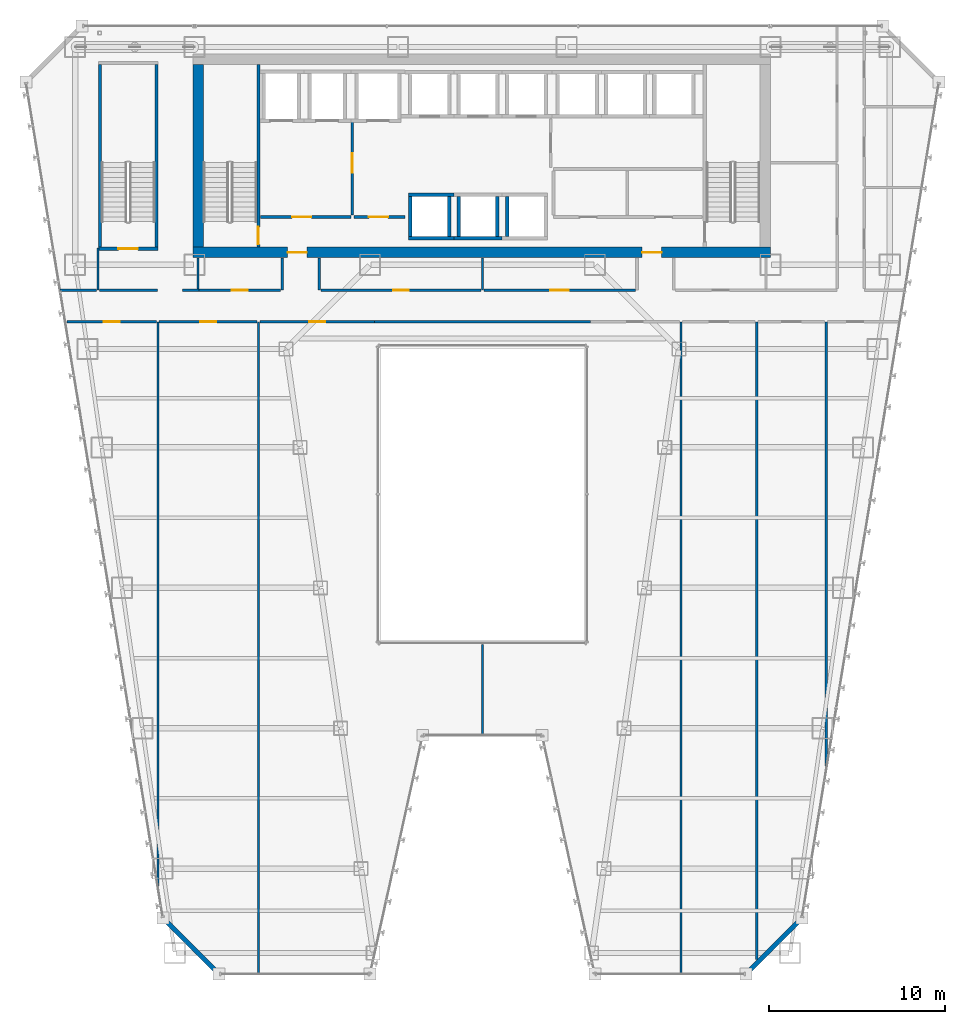
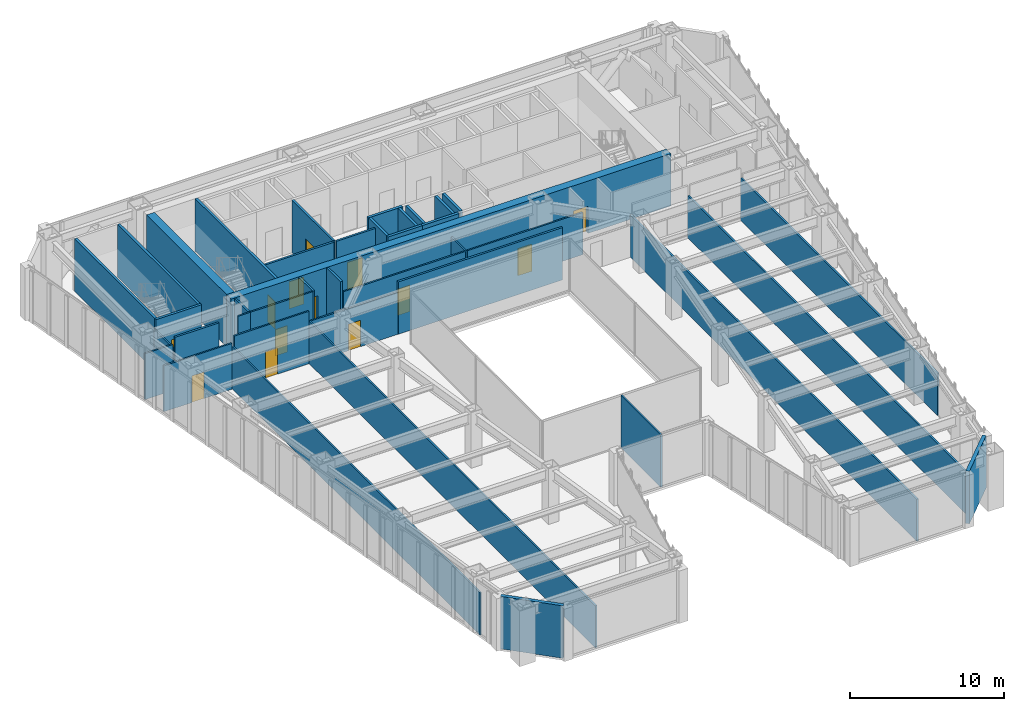
# One storey, part 36 of 47: 40 walls, 13 doors, 13 openings.
"""IFC4 building model written with IfcOpenShell, lengths in metres."""

from ifc_helpers import new_model, si_unit, direction, frame, frame_2d, origin, place, context, subcontext, project, spatial, rectangle, extrude, material, layer, layer_set, type_object, element, fill, save


model = new_model("IFC4")

# Units and contexts
model_context = context("Model", 3, precision=1e-05, world=origin(), true_north=direction((0.0, 1.0)))
body_context = subcontext(model_context, "Body", "Model", "MODEL_VIEW")
ifc_project = project(units=[si_unit("LENGTHUNIT", "METRE"), si_unit("AREAUNIT", "SQUARE_METRE"), si_unit("VOLUMEUNIT", "CUBIC_METRE"), si_unit("PLANEANGLEUNIT", "RADIAN"), si_unit("MASSUNIT", "GRAM", prefix="KILO")], contexts=[model_context])

# Site, building, storey
site_placement = place(None, origin())
site = spatial("IfcSite", under=ifc_project, at=site_placement, CompositionType="ELEMENT")
building_placement = place(site_placement, origin())
building = spatial("IfcBuilding", under=site, at=building_placement, Name="Saevonmaru Cultural Tower", CompositionType="ELEMENT")
storey_placement = place(building_placement, frame((0.0, 0.0, 92.800048828125)))
storey = spatial("IfcBuildingStorey", under=building, at=storey_placement, Name="L19", CompositionType="ELEMENT", Elevation=92.800048828125)

# Wall, openings, doors
ifc_material_1 = material(Name="Concrete C60/75", Category="concrete")
ifc_layer_1 = layer(ifc_material_1, 0.60009765625, Name="Concrete C60/75")
ifc_layer_set_1 = layer_set([ifc_layer_1], Name="Concrete C60/75")
wall_type_1 = type_object("IfcWallType", Name="WL-CORE-600", PredefinedType="SHEAR", material=ifc_layer_set_1)
wall_1_placement = place(storey_placement, frame((13.5, 43.10009765625, 0.0), z_axis=(0.0, 0.0, 1.0), x_axis=(1.0, 0.0, 0.0)))
wall_1 = element("IfcWall", 1, at=wall_1_placement, inside=storey, type_object=wall_type_1, Name="L19 Tower RC core shear wall S", PredefinedType="SHEAR", context=body_context, shape_type="SweptSolid", body=[
    extrude(rectangle(XDim=32.89990234375, YDim=0.60009765625, at=frame_2d((16.449951171875, 0.0))), origin(), (0.0, 0.0, 1.0), 4.14990234375),
])
opening_1_placement = place(wall_1_placement, frame((5.39990234375, 0.0, 0.0)))
opening_1 = element("IfcOpeningElement", 2, at=opening_1_placement, cuts=wall_1, Name="Opening FD-2", PredefinedType="OPENING", context=body_context, shape_type="SweptSolid", body=[
    extrude(rectangle(XDim=1.10009765625, YDim=2.14990234375, at=frame_2d((0.550048828125, 1.074951171875))), frame((0.0, 0.31005859375, 0.0), z_axis=(0.0, -1.0, 0.0), x_axis=(1.0, 0.0, 0.0)), (0.0, 0.0, 1.0), 0.6201171875),
])
opening_2_placement = place(wall_1_placement, frame((25.60009765625, 0.0, 0.0)))
opening_2 = element("IfcOpeningElement", 3, at=opening_2_placement, cuts=wall_1, Name="Opening FD-2", PredefinedType="OPENING", context=body_context, shape_type="SweptSolid", body=[
    extrude(rectangle(XDim=1.10009765625, YDim=2.14990234375, at=frame_2d((0.550048828125, 1.074951171875))), frame((0.0, 0.31005859375, 0.0), z_axis=(0.0, -1.0, 0.0), x_axis=(1.0, 0.0, 0.0)), (0.0, 0.0, 1.0), 0.6201171875),
])
ifc_material_2 = material(Name="Satin Bronze Anodised Aluminium", Category="aluminium")
door_type_1 = type_object("IfcDoorType", Name="DR-FD60-1100", OperationType="SINGLE_SWING_LEFT", PredefinedType="DOOR", material=ifc_material_2)
door_1_placement = place(opening_1_placement, origin())
door_1 = element("IfcDoor", 4, at=door_1_placement, inside=storey, type_object=door_type_1, Name="L19 Core West Lobby Fire Door", OperationType="SINGLE_SWING_LEFT", OverallHeight=2.14990234375, OverallWidth=1.10009765625, PredefinedType="DOOR", context=body_context, shape_type="SweptSolid", body=[
    extrude(rectangle(XDim=1.10009765625, YDim=2.14990234375, at=frame_2d((0.550048828125, 1.074951171875))), frame((0.0, 0.02490234375, 0.0), z_axis=(0.0, -1.0, 0.0), x_axis=(1.0, 0.0, 0.0)), (0.0, 0.0, 1.0), 0.050048828125),
])
fill(opening_1, door_1)
door_2_placement = place(opening_2_placement, origin())
door_2 = element("IfcDoor", 5, at=door_2_placement, inside=storey, type_object=door_type_1, Name="L19 Core East Lobby Fire Door", OperationType="SINGLE_SWING_LEFT", OverallHeight=2.14990234375, OverallWidth=1.10009765625, PredefinedType="DOOR", context=body_context, shape_type="SweptSolid", body=[
    extrude(rectangle(XDim=1.10009765625, YDim=2.14990234375, at=frame_2d((0.550048828125, 1.074951171875))), frame((0.0, 0.02490234375, 0.0), z_axis=(0.0, -1.0, 0.0), x_axis=(1.0, 0.0, 0.0)), (0.0, 0.0, 1.0), 0.050048828125),
])
fill(opening_2, door_2)

# Wall
wall_2_placement = place(storey_placement, frame((13.800048828125, 43.39990234375, 0.0), z_axis=(0.0, 0.0, 1.0), x_axis=(0.0, 1.0, 0.0)))
element("IfcWall", 6, at=wall_2_placement, inside=storey, type_object=wall_type_1, Name="L19 Tower RC core shear wall W", PredefinedType="SHEAR", context=body_context, shape_type="SweptSolid", body=[
    extrude(rectangle(XDim=10.400146484375, YDim=0.60009765625, at=frame_2d((5.2001953125, 0.0))), origin(), (0.0, 0.0, 1.0), 4.14990234375),
])

# Wall, opening, door
ifc_material_3 = material(Name="Gypsum Fireboard Partition", Category="gypsum")
ifc_layer_2 = layer(ifc_material_3, 0.14990234375, Name="Gypsum Fireboard Partition")
ifc_layer_set_2 = layer_set([ifc_layer_2], Name="Gypsum Fireboard Partition")
wall_type_2 = type_object("IfcWallType", Name="WL-CORE-PART-150", PredefinedType="PARTITIONING", material=ifc_layer_set_2)
wall_3_placement = place(storey_placement, frame((17.360107421875, 45.1201171875, 0.0), z_axis=(0.0, 0.0, 1.0), x_axis=(1.0, 0.0, 0.0)))
wall_3 = element("IfcWall", 7, at=wall_3_placement, inside=storey, type_object=wall_type_2, Name="L19 Firefighting Lift Lobby South Wall", PredefinedType="PARTITIONING", context=body_context, shape_type="SweptSolid", body=[
    extrude(rectangle(XDim=5.139892578125, YDim=0.14990234375, at=frame_2d((2.56982421875, 0.0))), origin(), (0.0, 0.0, 1.0), 4.14990234375),
])
opening_3_placement = place(wall_3_placement, frame((1.800048828125, 0.0, 0.0)))
opening_3 = element("IfcOpeningElement", 8, at=opening_3_placement, cuts=wall_3, Name="Opening FD-2", PredefinedType="OPENING", context=body_context, shape_type="SweptSolid", body=[
    extrude(rectangle(XDim=1.10009765625, YDim=2.14990234375, at=frame_2d((0.550048828125, 1.074951171875))), frame((0.0, 0.0849609375, 0.0), z_axis=(0.0, -1.0, 0.0), x_axis=(1.0, 0.0, 0.0)), (0.0, 0.0, 1.0), 0.169921875),
])
door_3_placement = place(opening_3_placement, origin())
door_3 = element("IfcDoor", 9, at=door_3_placement, inside=storey, type_object=door_type_1, Name="L19 Firefighting Lift Lobby South Door", OperationType="SINGLE_SWING_LEFT", OverallHeight=2.14990234375, OverallWidth=1.10009765625, PredefinedType="DOOR", context=body_context, shape_type="SweptSolid", body=[
    extrude(rectangle(XDim=1.10009765625, YDim=2.14990234375, at=frame_2d((0.550048828125, 1.074951171875))), frame((0.0, 0.02490234375, 0.0), z_axis=(0.0, -1.0, 0.0), x_axis=(1.0, 0.0, 0.0)), (0.0, 0.0, 1.0), 0.050048828125),
])
fill(opening_3, door_3)

wall_4_placement = place(storey_placement, frame((22.580078125, 50.550048828125, 0.0), z_axis=(0.0, 0.0, 1.0), x_axis=(0.0, -1.0, 0.0)))
wall_4 = element("IfcWall", 10, at=wall_4_placement, inside=storey, type_object=wall_type_2, Name="L19 Firefighting Lift Lobby East Wall", PredefinedType="PARTITIONING", context=body_context, shape_type="SweptSolid", body=[
    extrude(rectangle(XDim=5.330078125, YDim=0.14990234375, at=frame_2d((2.6650390625, 0.0))), origin(), (0.0, 0.0, 1.0), 4.14990234375),
])
opening_4_placement = place(wall_4_placement, frame((1.800048828125, 0.0, 0.0)))
opening_4 = element("IfcOpeningElement", 11, at=opening_4_placement, cuts=wall_4, Name="Opening FD-2", PredefinedType="OPENING", context=body_context, shape_type="SweptSolid", body=[
    extrude(rectangle(XDim=1.10009765625, YDim=2.14990234375, at=frame_2d((0.550048828125, 1.074951171875))), frame((0.0, 0.0849609375, 0.0), z_axis=(0.0, -1.0, 0.0), x_axis=(1.0, 0.0, 0.0)), (0.0, 0.0, 1.0), 0.169921875),
])
door_4_placement = place(opening_4_placement, origin())
door_4 = element("IfcDoor", 12, at=door_4_placement, inside=storey, type_object=door_type_1, Name="L19 Firefighting Lift Lobby East Door", OperationType="SINGLE_SWING_LEFT", OverallHeight=2.14990234375, OverallWidth=1.10009765625, PredefinedType="DOOR", context=body_context, shape_type="SweptSolid", body=[
    extrude(rectangle(XDim=1.10009765625, YDim=2.14990234375, at=frame_2d((0.550048828125, 1.074951171875))), frame((0.0, 0.02490234375, 0.0), z_axis=(0.0, -1.0, 0.0), x_axis=(1.0, 0.0, 0.0)), (0.0, 0.0, 1.0), 0.050048828125),
])
fill(opening_4, door_4)

wall_5_placement = place(storey_placement, frame((22.679931640625, 45.1201171875, 0.0), z_axis=(0.0, 0.0, 1.0), x_axis=(1.0, 0.0, 0.0)))
wall_5 = element("IfcWall", 13, at=wall_5_placement, inside=storey, type_object=wall_type_2, Name="L19 Service Lift Vestibule Wall", PredefinedType="PARTITIONING", context=body_context, shape_type="SweptSolid", body=[
    extrude(rectangle(XDim=2.920166015625, YDim=0.14990234375, at=frame_2d((1.4599609375, 0.0))), origin(), (0.0, 0.0, 1.0), 4.14990234375),
])
opening_5_placement = place(wall_5_placement, frame((0.85009765625, 0.0, 0.0)))
opening_5 = element("IfcOpeningElement", 14, at=opening_5_placement, cuts=wall_5, Name="Opening FD-2", PredefinedType="OPENING", context=body_context, shape_type="SweptSolid", body=[
    extrude(rectangle(XDim=1.10009765625, YDim=2.14990234375, at=frame_2d((0.550048828125, 1.074951171875))), frame((0.0, 0.0849609375, 0.0), z_axis=(0.0, -1.0, 0.0), x_axis=(1.0, 0.0, 0.0)), (0.0, 0.0, 1.0), 0.169921875),
])
door_5_placement = place(opening_5_placement, origin())
door_5 = element("IfcDoor", 15, at=door_5_placement, inside=storey, type_object=door_type_1, Name="L19 Service Lift Vestibule Door", OperationType="SINGLE_SWING_LEFT", OverallHeight=2.14990234375, OverallWidth=1.10009765625, PredefinedType="DOOR", context=body_context, shape_type="SweptSolid", body=[
    extrude(rectangle(XDim=1.10009765625, YDim=2.14990234375, at=frame_2d((0.550048828125, 1.074951171875))), frame((0.0, 0.02490234375, 0.0), z_axis=(0.0, -1.0, 0.0), x_axis=(1.0, 0.0, 0.0)), (0.0, 0.0, 1.0), 0.050048828125),
])
fill(opening_5, door_5)

# Walls
ifc_material_4 = material(Name="Granite-Clad Precast Concrete C40/50", Category="masonry")
ifc_layer_3 = layer(ifc_material_4, 0.260009765625, Name="Granite-Clad Precast Concrete C40/50")
ifc_layer_set_3 = layer_set([ifc_layer_3], Name="Granite-Clad Precast Concrete C40/50")
wall_type_3 = type_object("IfcWallType", Name="WL-EXT-SPANDREL-260", PredefinedType="STANDARD", material=ifc_layer_set_3)
for number, where, z_axis, x_axis, name in (
    (16, (11.9130859375, 5.0869140625, 0.0), (0.0, 0.0, 1.0), (0.707106781187, -0.707106781187, 0.0), "L19 Chamfer Corner Spandrel Wall E1"),
    (17, (45.113037109375, 2.113037109375, 0.0), (0.0, 0.0, 1.0), (0.707106781187, 0.707106781187, 0.0), "L19 Chamfer Corner Spandrel Wall E7"),
):
    element("IfcWall", number, at=place(storey_placement, frame(where, z_axis=z_axis, x_axis=x_axis)), inside=storey, type_object=wall_type_3, Name=name, PredefinedType="STANDARD", context=body_context, shape_type="SweptSolid", body=[
        extrude(rectangle(XDim=4.205810546875, YDim=0.260009765625, at=frame_2d((2.10302734375, 0.0))), origin(), (0.0, 0.0, 1.0), 4.14990234375),
    ])
ifc_layer_4 = layer(ifc_material_3, 0.14990234375, Name="Gypsum Fireboard Partition")
ifc_layer_set_4 = layer_set([ifc_layer_4], Name="Gypsum Fireboard Partition")
wall_type_4 = type_object("IfcWallType", Name="WL-PART-FIRE-150", PredefinedType="PARTITIONING", material=ifc_layer_set_4)
wall_6_placement = place(storey_placement, frame((8.179931640625, 40.949951171875, 0.0), z_axis=(0.0, 0.0, 1.0), x_axis=(1.0, 0.0, 0.0)))
element("IfcWall", 18, at=wall_6_placement, inside=storey, type_object=wall_type_4, Name="L19 Stair ST-3 South Vestibule Wall", PredefinedType="PARTITIONING", context=body_context, shape_type="SweptSolid", body=[
    extrude(rectangle(XDim=3.300048828125, YDim=0.14990234375, at=frame_2d((1.64990234375, 0.0))), origin(), (0.0, 0.0, 1.0), 4.14990234375),
])
for number, where, z_axis, x_axis, name in (
    (19, (18.60009765625, 40.949951171875, 0.0), (0.0, 0.0, 1.0), (0.0, 1.0, 0.0), "L19 Core Portal Side Wall W1"),
    (20, (20.699951171875, 40.949951171875, 0.0), (0.0, 0.0, 1.0), (0.0, 1.0, 0.0), "L19 Core Portal Side Wall W2"),
):
    element("IfcWall", number, at=place(storey_placement, frame(where, z_axis=z_axis, x_axis=x_axis)), inside=storey, type_object=wall_type_4, Name=name, PredefinedType="PARTITIONING", context=body_context, shape_type="SweptSolid", body=[
        extrude(rectangle(XDim=1.830078125, YDim=0.14990234375, at=frame_2d((0.9150390625, 0.0))), origin(), (0.0, 0.0, 1.0), 4.14990234375),
    ])
wall_7_placement = place(storey_placement, frame((23.85009765625, 39.14990234375, 0.0), z_axis=(0.0, 0.0, 1.0), x_axis=(1.0, 0.0, 0.0)))
element("IfcWall", 21, at=wall_7_placement, inside=storey, type_object=wall_type_4, Name="L19 North Atrium Corridor Wall", PredefinedType="PARTITIONING", context=body_context, shape_type="SweptSolid", body=[
    extrude(rectangle(XDim=12.2998046875, YDim=0.14990234375, at=frame_2d((6.14990234375, 0.0))), origin(), (0.0, 0.0, 1.0), 4.14990234375),
])
ifc_layer_5 = layer(ifc_material_3, 0.1201171875, Name="Gypsum Fireboard Partition")
ifc_layer_set_5 = layer_set([ifc_layer_5], Name="Gypsum Fireboard Partition")
wall_type_5 = type_object("IfcWallType", Name="WL-PART-GYP-120", PredefinedType="PARTITIONING", material=ifc_layer_set_5)
wall_8_placement = place(storey_placement, frame((12.919921875, 40.949951171875, 0.0), z_axis=(0.0, 0.0, 1.0), x_axis=(1.0, 0.0, 0.0)))
element("IfcWall", 22, at=wall_8_placement, inside=storey, type_object=wall_type_5, Name="L19 NW Inner South Wall", PredefinedType="PARTITIONING", context=body_context, shape_type="SweptSolid", body=[
    extrude(rectangle(XDim=0.93017578125, YDim=0.1201171875, at=frame_2d((0.465087890625, 0.0))), origin(), (0.0, 0.0, 1.0), 4.14990234375),
])
wall_9_placement = place(storey_placement, frame((13.800048828125, 41.030029296875, 0.0), z_axis=(0.0, 0.0, 1.0), x_axis=(0.0, 1.0, 0.0)))
element("IfcWall", 23, at=wall_9_placement, inside=storey, type_object=wall_type_5, Name="L19 NW Inner Core Return", PredefinedType="PARTITIONING", context=body_context, shape_type="SweptSolid", body=[
    extrude(rectangle(XDim=1.75, YDim=0.1201171875, at=frame_2d((0.875, 0.0))), origin(), (0.0, 0.0, 1.0), 4.14990234375),
])
wall_10_placement = place(storey_placement, frame((8.10009765625, 40.949951171875, 0.0), z_axis=(0.0, 0.0, 1.0), x_axis=(0.0, 1.0, 0.0)))
element("IfcWall", 24, at=wall_10_placement, inside=storey, type_object=wall_type_5, Name="L19 NW Stair Return", PredefinedType="PARTITIONING", context=body_context, shape_type="SweptSolid", body=[
    extrude(rectangle(XDim=2.400146484375, YDim=0.1201171875, at=frame_2d((1.2001953125, 0.0))), origin(), (0.0, 0.0, 1.0), 3.3349609375),
])
wall_11_placement = place(storey_placement, frame((5.947021484375, 40.949951171875, 0.0), z_axis=(0.0, 0.0, 1.0), x_axis=(1.0, 0.0, 0.0)))
element("IfcWall", 25, at=wall_11_placement, inside=storey, type_object=wall_type_5, Name="L19 Curatorial Board Meeting Room Corridor Wall", PredefinedType="PARTITIONING", context=body_context, shape_type="SweptSolid", body=[
    extrude(rectangle(XDim=2.072998046875, YDim=0.1201171875, at=frame_2d((1.03662109375, 0.0))), origin(), (0.0, 0.0, 1.0), 3.635009765625),
])

# Wall, opening, door
wall_12_placement = place(storey_placement, frame((13.85009765625, 40.949951171875, 0.0), z_axis=(0.0, 0.0, 1.0), x_axis=(1.0, 0.0, 0.0)))
wall_12 = element("IfcWall", 26, at=wall_12_placement, inside=storey, type_object=wall_type_5, Name="L19 Urban Design Meeting Room Corridor Wall", PredefinedType="PARTITIONING", context=body_context, shape_type="SweptSolid", body=[
    extrude(rectangle(XDim=4.65478515625, YDim=0.1201171875, at=frame_2d((2.327392578125, 0.0))), origin(), (0.0, 0.0, 1.0), 4.14990234375),
])
opening_6_placement = place(wall_12_placement, frame((1.876953125, 0.0, 0.0)))
opening_6 = element("IfcOpeningElement", 27, at=opening_6_placement, cuts=wall_12, Name="Opening ID-2", PredefinedType="OPENING", context=body_context, shape_type="SweptSolid", body=[
    extrude(rectangle(XDim=0.89990234375, YDim=2.10009765625, at=frame_2d((0.449951171875, 1.050048828125))), frame((0.0, 0.070068359375, 0.0), z_axis=(0.0, -1.0, 0.0), x_axis=(1.0, 0.0, 0.0)), (0.0, 0.0, 1.0), 0.14013671875),
])
ifc_material_5 = material(Name="Acoustic Stained Oak Timber", Category="wood")
door_type_2 = type_object("IfcDoorType", Name="DR-INT-900", OperationType="SINGLE_SWING_RIGHT", PredefinedType="DOOR", material=ifc_material_5)
door_6_placement = place(opening_6_placement, origin())
door_6 = element("IfcDoor", 28, at=door_6_placement, inside=storey, type_object=door_type_2, Name="L19 Urban Design Meeting Room Door", OperationType="SINGLE_SWING_LEFT", OverallHeight=2.10009765625, OverallWidth=0.89990234375, PredefinedType="DOOR", context=body_context, shape_type="SweptSolid", body=[
    extrude(rectangle(XDim=0.89990234375, YDim=2.10009765625, at=frame_2d((0.449951171875, 1.050048828125))), frame((0.0, 0.02490234375, 0.0), z_axis=(0.0, -1.0, 0.0), x_axis=(1.0, 0.0, 0.0)), (0.0, 0.0, 1.0), 0.050048828125),
])
fill(opening_6, door_6)

# Wall
wall_13_placement = place(storey_placement, frame((30.0, 40.949951171875, 0.0), z_axis=(0.0, 0.0, 1.0), x_axis=(0.0, 1.0, 0.0)))
element("IfcWall", 29, at=wall_13_placement, inside=storey, type_object=wall_type_5, Name="L19 Spine Alcove Split", PredefinedType="PARTITIONING", context=body_context, shape_type="SweptSolid", body=[
    extrude(rectangle(XDim=1.830078125, YDim=0.1201171875, at=frame_2d((0.9150390625, 0.0))), origin(), (0.0, 0.0, 1.0), 3.3349609375),
])

# Wall, opening, door
wall_14_placement = place(storey_placement, frame((20.794921875, 40.949951171875, 0.0), z_axis=(0.0, 0.0, 1.0), x_axis=(1.0, 0.0, 0.0)))
wall_14 = element("IfcWall", 30, at=wall_14_placement, inside=storey, type_object=wall_type_5, Name="L19 Urban Design Meeting Room Corridor Wall", PredefinedType="PARTITIONING", context=body_context, shape_type="SweptSolid", body=[
    extrude(rectangle(XDim=9.125, YDim=0.1201171875, at=frame_2d((4.5625, 0.0))), origin(), (0.0, 0.0, 1.0), 3.3349609375),
])
opening_7_placement = place(wall_14_placement, frame((4.112060546875, 0.0, 0.0)))
opening_7 = element("IfcOpeningElement", 31, at=opening_7_placement, cuts=wall_14, Name="Opening ID-2", PredefinedType="OPENING", context=body_context, shape_type="SweptSolid", body=[
    extrude(rectangle(XDim=0.89990234375, YDim=2.10009765625, at=frame_2d((0.449951171875, 1.050048828125))), frame((0.0, 0.070068359375, 0.0), z_axis=(0.0, -1.0, 0.0), x_axis=(1.0, 0.0, 0.0)), (0.0, 0.0, 1.0), 0.14013671875),
])
door_7_placement = place(opening_7_placement, origin())
door_7 = element("IfcDoor", 32, at=door_7_placement, inside=storey, type_object=door_type_2, Name="L19 Urban Design Meeting Room Door", OperationType="SINGLE_SWING_RIGHT", OverallHeight=2.10009765625, OverallWidth=0.89990234375, PredefinedType="DOOR", context=body_context, shape_type="SweptSolid", body=[
    extrude(rectangle(XDim=0.89990234375, YDim=2.10009765625, at=frame_2d((0.449951171875, 1.050048828125))), frame((0.0, 0.02490234375, 0.0), z_axis=(0.0, -1.0, 0.0), x_axis=(1.0, 0.0, 0.0)), (0.0, 0.0, 1.0), 0.050048828125),
])
fill(opening_7, door_7)

wall_15_placement = place(storey_placement, frame((30.080078125, 40.949951171875, 0.0), z_axis=(0.0, 0.0, 1.0), x_axis=(1.0, 0.0, 0.0)))
wall_15 = element("IfcWall", 33, at=wall_15_placement, inside=storey, type_object=wall_type_5, Name="L19 Rare Folio Reading Room Corridor Wall", PredefinedType="PARTITIONING", context=body_context, shape_type="SweptSolid", body=[
    extrude(rectangle(XDim=8.625, YDim=0.1201171875, at=frame_2d((4.3125, 0.0))), origin(), (0.0, 0.0, 1.0), 3.3349609375),
])
opening_8_placement = place(wall_15_placement, frame((3.7880859375, 0.0, 0.0)))
opening_8 = element("IfcOpeningElement", 34, at=opening_8_placement, cuts=wall_15, Name="Opening ID-1", PredefinedType="OPENING", context=body_context, shape_type="SweptSolid", body=[
    extrude(rectangle(XDim=1.050048828125, YDim=2.14990234375, at=frame_2d((0.52490234375, 1.074951171875))), frame((0.0, 0.070068359375, 0.0), z_axis=(0.0, -1.0, 0.0), x_axis=(1.0, 0.0, 0.0)), (0.0, 0.0, 1.0), 0.14013671875),
])
door_type_3 = type_object("IfcDoorType", Name="DR-INT-1050", OperationType="SINGLE_SWING_LEFT", PredefinedType="DOOR", material=ifc_material_2)
door_8_placement = place(opening_8_placement, origin())
door_8 = element("IfcDoor", 35, at=door_8_placement, inside=storey, type_object=door_type_3, Name="L19 Rare Folio Reading Room Door", OperationType="SINGLE_SWING_LEFT", OverallHeight=2.14990234375, OverallWidth=1.050048828125, PredefinedType="DOOR", context=body_context, shape_type="SweptSolid", body=[
    extrude(rectangle(XDim=1.050048828125, YDim=2.14990234375, at=frame_2d((0.52490234375, 1.074951171875))), frame((0.0, 0.02490234375, 0.0), z_axis=(0.0, -1.0, 0.0), x_axis=(1.0, 0.0, 0.0)), (0.0, 0.0, 1.0), 0.050048828125),
])
fill(opening_8, door_8)

# Walls
wall_16_placement = place(storey_placement, frame((11.510009765625, 7.000732421875, 0.0), z_axis=(0.0, 0.0, 1.0), x_axis=(0.0, 1.0, 0.0)))
element("IfcWall", 36, at=wall_16_placement, inside=storey, type_object=wall_type_5, Name="L19 West Bay Divider 1", PredefinedType="PARTITIONING", context=body_context, shape_type="SweptSolid", body=[
    extrude(rectangle(XDim=32.149169921875, YDim=0.1201171875, at=frame_2d((16.07470703125, 0.0))), origin(), (0.0, 0.0, 1.0), 3.3349609375),
])
wall_17_placement = place(storey_placement, frame((17.25, 2.0048828125, 0.0), z_axis=(0.0, 0.0, 1.0), x_axis=(0.0, 1.0, 0.0)))
element("IfcWall", 37, at=wall_17_placement, inside=storey, type_object=wall_type_5, Name="L19 West Bay Divider 2", PredefinedType="PARTITIONING", context=body_context, shape_type="SweptSolid", body=[
    extrude(rectangle(XDim=37.14501953125, YDim=0.1201171875, at=frame_2d((18.572509765625, 0.0))), origin(), (0.0, 0.0, 1.0), 3.3349609375),
])
wall_18_placement = place(storey_placement, frame((30.0, 15.60498046875, 0.0), z_axis=(0.0, 0.0, 1.0), x_axis=(0.0, 1.0, 0.0)))
element("IfcWall", 38, at=wall_18_placement, inside=storey, type_object=wall_type_5, Name="L19 South Atrium Center Split", PredefinedType="PARTITIONING", context=body_context, shape_type="SweptSolid", body=[
    extrude(rectangle(XDim=5.175048828125, YDim=0.1201171875, at=frame_2d((2.58740234375, 0.0))), origin(), (0.0, 0.0, 1.0), 4.14990234375),
])

# Wall, opening, door
wall_19_placement = place(storey_placement, frame((6.333984375, 39.14990234375, 0.0), z_axis=(0.0, 0.0, 1.0), x_axis=(1.0, 0.0, 0.0)))
wall_19 = element("IfcWall", 39, at=wall_19_placement, inside=storey, type_object=wall_type_5, Name="L19 Urban Design Meeting Room Corridor Wall", PredefinedType="PARTITIONING", context=body_context, shape_type="SweptSolid", body=[
    extrude(rectangle(XDim=5.095947265625, YDim=0.1201171875, at=frame_2d((2.5478515625, 0.0))), origin(), (0.0, 0.0, 1.0), 3.635009765625),
])
opening_9_placement = place(wall_19_placement, frame((2.097900390625, 0.0, 0.0)))
opening_9 = element("IfcOpeningElement", 40, at=opening_9_placement, cuts=wall_19, Name="Opening ID-2", PredefinedType="OPENING", context=body_context, shape_type="SweptSolid", body=[
    extrude(rectangle(XDim=0.89990234375, YDim=2.10009765625, at=frame_2d((0.449951171875, 1.050048828125))), frame((0.0, 0.070068359375, 0.0), z_axis=(0.0, -1.0, 0.0), x_axis=(1.0, 0.0, 0.0)), (0.0, 0.0, 1.0), 0.14013671875),
])
door_9_placement = place(opening_9_placement, origin())
door_9 = element("IfcDoor", 41, at=door_9_placement, inside=storey, type_object=door_type_2, Name="L19 Urban Design Meeting Room Door", OperationType="SINGLE_SWING_LEFT", OverallHeight=2.10009765625, OverallWidth=0.89990234375, PredefinedType="DOOR", context=body_context, shape_type="SweptSolid", body=[
    extrude(rectangle(XDim=0.89990234375, YDim=2.10009765625, at=frame_2d((0.449951171875, 1.050048828125))), frame((0.0, 0.02490234375, 0.0), z_axis=(0.0, -1.0, 0.0), x_axis=(1.0, 0.0, 0.0)), (0.0, 0.0, 1.0), 0.050048828125),
])
fill(opening_9, door_9)

wall_20_placement = place(storey_placement, frame((11.590087890625, 39.14990234375, 0.0), z_axis=(0.0, 0.0, 1.0), x_axis=(1.0, 0.0, 0.0)))
wall_20 = element("IfcWall", 42, at=wall_20_placement, inside=storey, type_object=wall_type_5, Name="L19 Curatorial Board Meeting Room Corridor Wall", PredefinedType="PARTITIONING", context=body_context, shape_type="SweptSolid", body=[
    extrude(rectangle(XDim=5.579833984375, YDim=0.1201171875, at=frame_2d((2.7900390625, 0.0))), origin(), (0.0, 0.0, 1.0), 4.14990234375),
])
opening_10_placement = place(wall_20_placement, frame((2.340087890625, 0.0, 0.0)))
opening_10 = element("IfcOpeningElement", 43, at=opening_10_placement, cuts=wall_20, Name="Opening ID-2", PredefinedType="OPENING", context=body_context, shape_type="SweptSolid", body=[
    extrude(rectangle(XDim=0.89990234375, YDim=2.10009765625, at=frame_2d((0.449951171875, 1.050048828125))), frame((0.0, 0.070068359375, 0.0), z_axis=(0.0, -1.0, 0.0), x_axis=(1.0, 0.0, 0.0)), (0.0, 0.0, 1.0), 0.14013671875),
])
door_10_placement = place(opening_10_placement, origin())
door_10 = element("IfcDoor", 44, at=door_10_placement, inside=storey, type_object=door_type_2, Name="L19 Curatorial Board Meeting Room Door", OperationType="SINGLE_SWING_RIGHT", OverallHeight=2.10009765625, OverallWidth=0.89990234375, PredefinedType="DOOR", context=body_context, shape_type="SweptSolid", body=[
    extrude(rectangle(XDim=0.89990234375, YDim=2.10009765625, at=frame_2d((0.449951171875, 1.050048828125))), frame((0.0, 0.02490234375, 0.0), z_axis=(0.0, -1.0, 0.0), x_axis=(1.0, 0.0, 0.0)), (0.0, 0.0, 1.0), 0.050048828125),
])
fill(opening_10, door_10)

wall_21_placement = place(storey_placement, frame((17.330078125, 39.14990234375, 0.0), z_axis=(0.0, 0.0, 1.0), x_axis=(1.0, 0.0, 0.0)))
wall_21 = element("IfcWall", 45, at=wall_21_placement, inside=storey, type_object=wall_type_5, Name="L19 Literature Seminar Meeting Room Corridor Wall", PredefinedType="PARTITIONING", context=body_context, shape_type="SweptSolid", body=[
    extrude(rectangle(XDim=6.52001953125, YDim=0.1201171875, at=frame_2d((3.260009765625, 0.0))), origin(), (0.0, 0.0, 1.0), 3.3349609375),
])
opening_11_placement = place(wall_21_placement, frame((2.81005859375, 0.0, 0.0)))
opening_11 = element("IfcOpeningElement", 46, at=opening_11_placement, cuts=wall_21, Name="Opening ID-2", PredefinedType="OPENING", context=body_context, shape_type="SweptSolid", body=[
    extrude(rectangle(XDim=0.89990234375, YDim=2.10009765625, at=frame_2d((0.449951171875, 1.050048828125))), frame((0.0, 0.070068359375, 0.0), z_axis=(0.0, -1.0, 0.0), x_axis=(1.0, 0.0, 0.0)), (0.0, 0.0, 1.0), 0.14013671875),
])
door_11_placement = place(opening_11_placement, origin())
door_11 = element("IfcDoor", 47, at=door_11_placement, inside=storey, type_object=door_type_2, Name="L19 Literature Seminar Meeting Room Door", OperationType="SINGLE_SWING_LEFT", OverallHeight=2.10009765625, OverallWidth=0.89990234375, PredefinedType="DOOR", context=body_context, shape_type="SweptSolid", body=[
    extrude(rectangle(XDim=0.89990234375, YDim=2.10009765625, at=frame_2d((0.449951171875, 1.050048828125))), frame((0.0, 0.02490234375, 0.0), z_axis=(0.0, -1.0, 0.0), x_axis=(1.0, 0.0, 0.0)), (0.0, 0.0, 1.0), 0.050048828125),
])
fill(opening_11, door_11)

# Walls
ifc_layer_6 = layer(ifc_material_3, 0.135009765625, Name="Gypsum Fireboard Partition")
ifc_layer_set_6 = layer_set([ifc_layer_6], Name="Gypsum Fireboard Partition")
wall_type_6 = type_object("IfcWallType", Name="WL-PART-GYP-135", PredefinedType="PARTITIONING", material=ifc_layer_set_6)
wall_22_placement = place(storey_placement, frame((41.31005859375, 2.0048828125, 0.0), z_axis=(0.0, 0.0, 1.0), x_axis=(0.0, 1.0, 0.0)))
element("IfcWall", 48, at=wall_22_placement, inside=storey, type_object=wall_type_6, Name="L19 East Bay Divider 1", PredefinedType="PARTITIONING", context=body_context, shape_type="SweptSolid", body=[
    extrude(rectangle(XDim=37.14501953125, YDim=0.135009765625, at=frame_2d((18.572509765625, 0.0))), origin(), (0.0, 0.0, 1.0), 3.3349609375),
])
wall_23_placement = place(storey_placement, frame((45.6201171875, 2.83203125, 0.0), z_axis=(0.0, 0.0, 1.0), x_axis=(0.0, 1.0, 0.0)))
element("IfcWall", 49, at=wall_23_placement, inside=storey, type_object=wall_type_6, Name="L19 East Bay Divider 2", PredefinedType="PARTITIONING", context=body_context, shape_type="SweptSolid", body=[
    extrude(rectangle(XDim=36.31787109375, YDim=0.135009765625, at=frame_2d((18.158935546875, 0.0))), origin(), (0.0, 0.0, 1.0), 3.3349609375),
])
wall_24_placement = place(storey_placement, frame((49.580078125, 13.652587890625, 0.0), z_axis=(0.0, 0.0, 1.0), x_axis=(0.0, 1.0, 0.0)))
element("IfcWall", 50, at=wall_24_placement, inside=storey, type_object=wall_type_6, Name="L19 East Bay Divider 3", PredefinedType="PARTITIONING", context=body_context, shape_type="SweptSolid", body=[
    extrude(rectangle(XDim=25.497314453125, YDim=0.135009765625, at=frame_2d((12.74853515625, 0.0))), origin(), (0.0, 0.0, 1.0), 3.3349609375),
])
ifc_material_6 = material(Name="Concrete C40/50", Category="concrete")
ifc_layer_7 = layer(ifc_material_6, 0.199951171875, Name="Concrete C40/50")
ifc_layer_set_7 = layer_set([ifc_layer_7], Name="Concrete C40/50")
wall_type_7 = type_object("IfcWallType", Name="WL-SHAFT-200", PredefinedType="SHEAR", material=ifc_layer_set_7)
for number, where, z_axis, x_axis, name in (
    (51, (25.800048828125, 43.89990234375, 0.0), (0.0, 0.0, 1.0), (1.0, 0.0, 0.0), "L19 Lift PL-M1 Hoistway Wall S"),
    (52, (25.800048828125, 46.39990234375, 0.0), (0.0, 0.0, 1.0), (1.0, 0.0, 0.0), "L19 Lift PL-M1 Hoistway Wall N"),
):
    element("IfcWall", number, at=place(storey_placement, frame(where, z_axis=z_axis, x_axis=x_axis)), inside=storey, type_object=wall_type_7, Name=name, PredefinedType="SHEAR", context=body_context, shape_type="SweptSolid", body=[
        extrude(rectangle(XDim=2.574951171875, YDim=0.199951171875, at=frame_2d((1.28759765625, 0.0))), origin(), (0.0, 0.0, 1.0), 4.14990234375),
    ])
for number, where, z_axis, x_axis, name in (
    (53, (25.89990234375, 44.0, 0.0), (0.0, 0.0, 1.0), (0.0, 1.0, 0.0), "L19 Lift PL-M1 Hoistway Wall W"),
    (54, (28.10009765625, 44.0, 0.0), (0.0, 0.0, 1.0), (0.0, 1.0, 0.0), "L19 Lift PL-M1 Hoistway Wall E"),
):
    element("IfcWall", number, at=place(storey_placement, frame(where, z_axis=z_axis, x_axis=x_axis)), inside=storey, type_object=wall_type_7, Name=name, PredefinedType="SHEAR", context=body_context, shape_type="SweptSolid", body=[
        extrude(rectangle(XDim=2.300048828125, YDim=0.199951171875, at=frame_2d((1.14990234375, 0.0))), origin(), (0.0, 0.0, 1.0), 4.14990234375),
    ])
wall_25_placement = place(storey_placement, frame((28.375, 43.89990234375, 0.0), z_axis=(0.0, 0.0, 1.0), x_axis=(1.0, 0.0, 0.0)))
element("IfcWall", 55, at=wall_25_placement, inside=storey, type_object=wall_type_7, Name="L19 Lift PL-M2 Hoistway Wall S", PredefinedType="SHEAR", context=body_context, shape_type="SweptSolid", body=[
    extrude(rectangle(XDim=2.75, YDim=0.199951171875, at=frame_2d((1.375, 0.0))), origin(), (0.0, 0.0, 1.0), 4.14990234375),
])
for number, where, z_axis, x_axis, name in (
    (56, (28.64990234375, 44.0, 0.0), (0.0, 0.0, 1.0), (0.0, 1.0, 0.0), "L19 Lift PL-M2 Hoistway Wall W"),
    (57, (30.85009765625, 44.0, 0.0), (0.0, 0.0, 1.0), (0.0, 1.0, 0.0), "L19 Lift PL-M2 Hoistway Wall E"),
    (58, (31.39990234375, 44.0, 0.0), (0.0, 0.0, 1.0), (0.0, 1.0, 0.0), "L19 Lift PL-M3 Hoistway Wall W"),
):
    element("IfcWall", number, at=place(storey_placement, frame(where, z_axis=z_axis, x_axis=x_axis)), inside=storey, type_object=wall_type_7, Name=name, PredefinedType="SHEAR", context=body_context, shape_type="SweptSolid", body=[
        extrude(rectangle(XDim=2.300048828125, YDim=0.199951171875, at=frame_2d((1.14990234375, 0.0))), origin(), (0.0, 0.0, 1.0), 4.14990234375),
    ])

# Wall, opening, door
ifc_layer_8 = layer(ifc_material_6, 0.179931640625, Name="Concrete C40/50")
ifc_layer_set_8 = layer_set([ifc_layer_8], Name="Concrete C40/50")
wall_type_8 = type_object("IfcWallType", Name="WL-STSHAFT-180", PredefinedType="SHEAR", material=ifc_layer_set_8)
wall_26_placement = place(storey_placement, frame((17.239990234375, 43.39990234375, 0.0), z_axis=(0.0, 0.0, 1.0), x_axis=(0.0, 1.0, 0.0)))
wall_26 = element("IfcWall", 59, at=wall_26_placement, inside=storey, type_object=wall_type_8, Name="L19 Stair ST-1 Structural Shaft Wall 1", PredefinedType="SHEAR", context=body_context, shape_type="SweptSolid", body=[
    extrude(rectangle(XDim=10.400146484375, YDim=0.179931640625, at=frame_2d((5.2001953125, 0.0))), origin(), (0.0, 0.0, 1.0), 4.14990234375),
])
opening_12_placement = place(wall_26_placement, frame((0.159912109375, 0.0, 0.0)))
opening_12 = element("IfcOpeningElement", 60, at=opening_12_placement, cuts=wall_26, Name="Opening FD-3", PredefinedType="OPENING", context=body_context, shape_type="SweptSolid", body=[
    extrude(rectangle(XDim=1.0, YDim=2.14990234375, at=frame_2d((0.5, 1.074951171875))), frame((0.0, 0.10009765625, 0.0), z_axis=(0.0, -1.0, 0.0), x_axis=(1.0, 0.0, 0.0)), (0.0, 0.0, 1.0), 0.199951171875),
])
door_type_4 = type_object("IfcDoorType", Name="DR-FD60-1000", OperationType="SINGLE_SWING_RIGHT", PredefinedType="DOOR", material=ifc_material_2)
door_12_placement = place(opening_12_placement, origin())
door_12 = element("IfcDoor", 61, at=door_12_placement, inside=storey, type_object=door_type_4, Name="L19 Protected Stair ST-1 Fire Door", OperationType="SINGLE_SWING_RIGHT", OverallHeight=2.14990234375, OverallWidth=1.0, PredefinedType="DOOR", context=body_context, shape_type="SweptSolid", body=[
    extrude(rectangle(XDim=1.0, YDim=2.14990234375, at=frame_2d((0.5, 1.074951171875))), frame((0.0, 0.02490234375, 0.0), z_axis=(0.0, -1.0, 0.0), x_axis=(1.0, 0.0, 0.0)), (0.0, 0.0, 1.0), 0.050048828125),
])
fill(opening_12, door_12)

wall_27_placement = place(storey_placement, frame((8.1201171875, 43.31005859375, 0.0), z_axis=(0.0, 0.0, 1.0), x_axis=(1.0, 0.0, 0.0)))
wall_27 = element("IfcWall", 62, at=wall_27_placement, inside=storey, type_object=wall_type_8, Name="L19 Stair ST-3 Structural Shaft Wall 1", PredefinedType="SHEAR", context=body_context, shape_type="SweptSolid", body=[
    extrude(rectangle(XDim=3.409912109375, YDim=0.179931640625, at=frame_2d((1.705078125, 0.0))), origin(), (0.0, 0.0, 1.0), 4.14990234375),
])
opening_13_placement = place(wall_27_placement, frame((1.14990234375, 0.0, 0.0)))
opening_13 = element("IfcOpeningElement", 63, at=opening_13_placement, cuts=wall_27, Name="Opening FD-2", PredefinedType="OPENING", context=body_context, shape_type="SweptSolid", body=[
    extrude(rectangle(XDim=1.10009765625, YDim=2.14990234375, at=frame_2d((0.550048828125, 1.074951171875))), frame((0.0, 0.10009765625, 0.0), z_axis=(0.0, -1.0, 0.0), x_axis=(1.0, 0.0, 0.0)), (0.0, 0.0, 1.0), 0.199951171875),
])
door_13_placement = place(opening_13_placement, origin())
door_13 = element("IfcDoor", 64, at=door_13_placement, inside=storey, type_object=door_type_1, Name="L19 Protected Stair ST-3 Fire Door", OperationType="SINGLE_SWING_LEFT", OverallHeight=2.14990234375, OverallWidth=1.10009765625, PredefinedType="DOOR", context=body_context, shape_type="SweptSolid", body=[
    extrude(rectangle(XDim=1.10009765625, YDim=2.14990234375, at=frame_2d((0.550048828125, 1.074951171875))), frame((0.0, 0.02490234375, 0.0), z_axis=(0.0, -1.0, 0.0), x_axis=(1.0, 0.0, 0.0)), (0.0, 0.0, 1.0), 0.050048828125),
])
fill(opening_13, door_13)

# Walls
for number, where, z_axis, x_axis, name in (
    (65, (11.43994140625, 43.39990234375, 0.0), (0.0, 0.0, 1.0), (0.0, 1.0, 0.0), "L19 Stair ST-3 Structural Shaft Wall 2"),
    (66, (8.2099609375, 53.800048828125, 0.0), (0.0, 0.0, 1.0), (0.0, -1.0, 0.0), "L19 Stair ST-3 Structural Shaft Wall 4"),
):
    element("IfcWall", number, at=place(storey_placement, frame(where, z_axis=z_axis, x_axis=x_axis)), inside=storey, type_object=wall_type_8, Name=name, PredefinedType="SHEAR", context=body_context, shape_type="SweptSolid", body=[
        extrude(rectangle(XDim=10.400146484375, YDim=0.179931640625, at=frame_2d((5.2001953125, 0.0))), origin(), (0.0, 0.0, 1.0), 4.14990234375),
    ])

save(model, "model.ifc")
